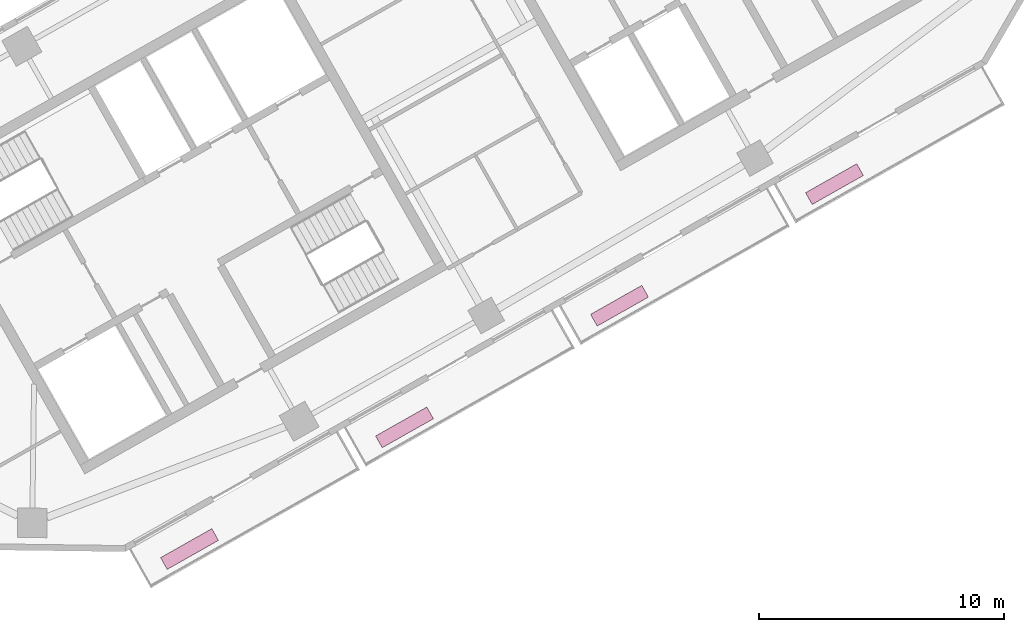
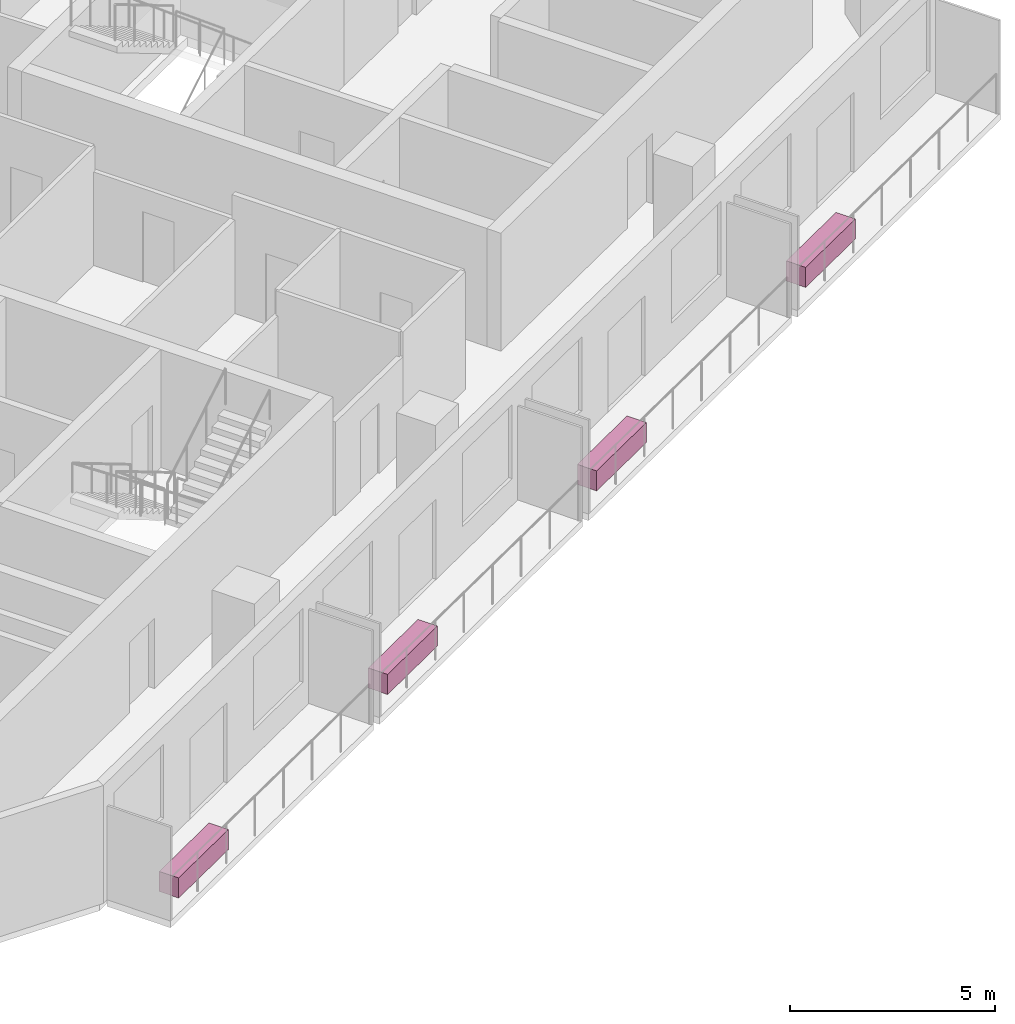
# One storey, part 7 of 7: 4 furnishings.
"""IFC4 building model written with IfcOpenShell, lengths in metres."""

from ifc_helpers import new_model, si_unit, direction, frame, origin, origin_2d, place, context, subcontext, project, spatial, rectangle, extrude, material, type_object, element, save


model = new_model("IFC4")

# Units and contexts
model_context = context("Model", 3, precision=1e-05, world=origin(), true_north=direction((0.0, 1.0)))
body_context = subcontext(model_context, "Body", "Model", "MODEL_VIEW")
ifc_project = project(units=[si_unit("LENGTHUNIT", "METRE"), si_unit("AREAUNIT", "SQUARE_METRE"), si_unit("VOLUMEUNIT", "CUBIC_METRE"), si_unit("PLANEANGLEUNIT", "RADIAN"), si_unit("MASSUNIT", "GRAM", prefix="KILO")], contexts=[model_context])

# Site, building, storey
site_placement = place(None, origin())
site = spatial("IfcSite", under=ifc_project, at=site_placement, CompositionType="ELEMENT")
building_placement = place(site_placement, origin())
building = spatial("IfcBuilding", under=site, at=building_placement, Name="Binnacle Exchange Tower", CompositionType="ELEMENT")
storey_placement = place(building_placement, frame((0.0, 0.0, 266.5)))
storey = spatial("IfcBuildingStorey", under=building, at=storey_placement, Name="L59", CompositionType="ELEMENT", Elevation=266.5)

# Furnishings
ifc_material = material(Name="Concrete C35/45", Category="concrete")
furnishing_element_type = type_object("IfcFurnishingElementType", Name="PLANTER 2400x550x600", material=ifc_material)
for number, where, z_axis, x_axis, name in (
    (1, (-35.44677734375, 26.428466796875, 0.0), (0.0, 0.0, 1.0), (0.87035569594, 0.492423560103, 0.0), "Planter H07-B00a L59"),
    (2, (-26.683837890625, 31.38623046875, 0.0), (0.0, 0.0, 1.0), (0.87035569594, 0.492423560103, 0.0), "Planter H07-B01a L59"),
    (3, (-17.9208984375, 36.34423828125, 0.0), (0.0, 0.0, 1.0), (0.87035569594, 0.492423560103, 0.0), "Planter H07-B02a L59"),
    (4, (-9.158203125, 41.302001953125, 0.0), (0.0, 0.0, 1.0), (0.87035569594, 0.492423560103, 0.0), "Planter H07-B03a L59"),
):
    element("IfcFurnishingElement", number, at=place(storey_placement, frame(where, z_axis=z_axis, x_axis=x_axis)), inside=storey, type_object=furnishing_element_type, Name=name, ObjectType="PLANTER", context=body_context, shape_type="SweptSolid", body=[
        extrude(rectangle(XDim=2.39990234375, YDim=0.550048828125, at=origin_2d()), origin(), (0.0, 0.0, 1.0), 0.60009765625),
    ])

save(model, "model.ifc")
